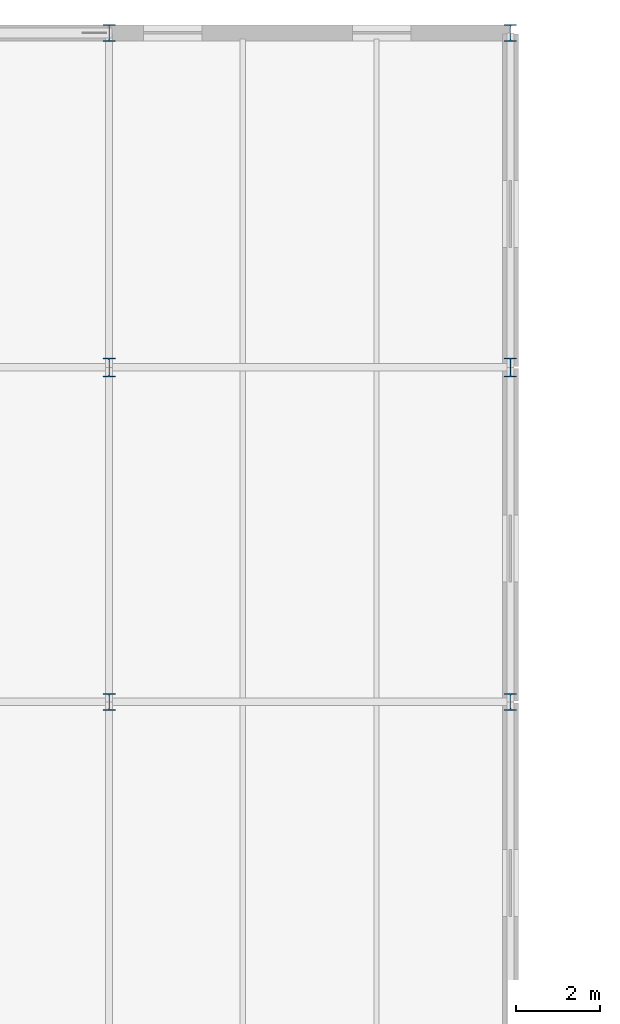
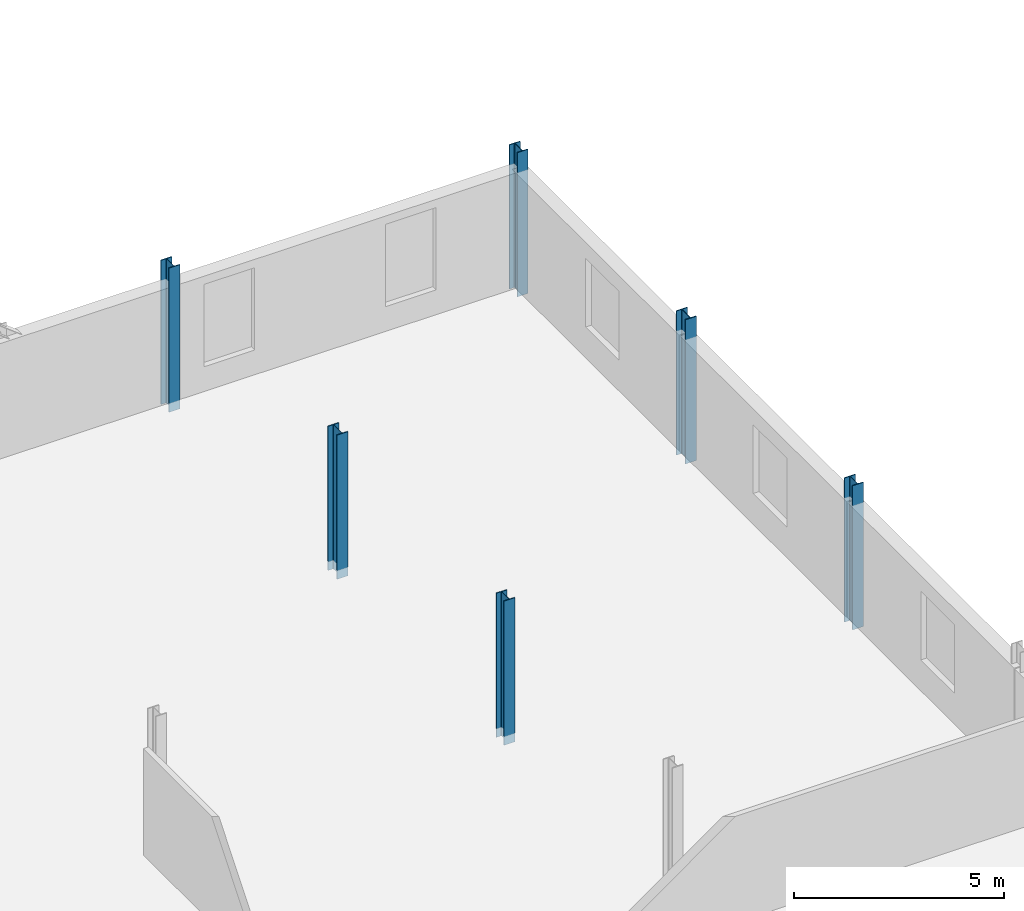
# One storey, part 15 of 85: 6 columns.
"""IFC4 building model written with IfcOpenShell, lengths in metres."""

from ifc_helpers import new_model, si_unit, direction, frame, origin, origin_2d, place, context, subcontext, project, spatial, i_section, extrude, material, material_profile, profile_set, type_object, element, save


model = new_model("IFC4")

# Units and contexts
model_context = context("Model", 3, precision=1e-05, world=origin(), true_north=direction((0.0, 1.0)))
body_context = subcontext(model_context, "Body", "Model", "MODEL_VIEW")
ifc_project = project(units=[si_unit("LENGTHUNIT", "METRE"), si_unit("AREAUNIT", "SQUARE_METRE"), si_unit("VOLUMEUNIT", "CUBIC_METRE"), si_unit("PLANEANGLEUNIT", "RADIAN"), si_unit("MASSUNIT", "GRAM", prefix="KILO")], contexts=[model_context])

# Site, building, storey
site_placement = place(None, origin())
site = spatial("IfcSite", under=ifc_project, at=site_placement, CompositionType="ELEMENT")
building_placement = place(site_placement, origin())
building = spatial("IfcBuilding", under=site, at=building_placement, Name="Alderhovde Museum", CompositionType="ELEMENT")
storey_placement = place(building_placement, frame((0.0, 0.0, 8.699951171875)))
storey = spatial("IfcBuildingStorey", under=building, at=storey_placement, Name="L02", CompositionType="ELEMENT", Elevation=8.699951171875)

# Columns
ifc_material_1 = material(Name="Steel S355J2", Category="steel")
ifc_material_profile_1 = material_profile(ifc_material_1, i_section(OverallWidth=0.300048828125, OverallDepth=0.39990234375, WebThickness=0.013427734375, FlangeThickness=0.02392578125, FilletRadius=0.027099609375, at=origin_2d()), Name="HEB 400")
ifc_profile_set_1 = profile_set([ifc_material_profile_1], Name="Steel S355J2")
column_type_1 = type_object("IfcColumnType", Name="COL-HEB400", PredefinedType="COLUMN", material=ifc_profile_set_1)
for number, where, z_axis, x_axis, name in (
    (1, (48.0, 96.0, -0.260009765625), (0.0, 0.0, 1.0), (1.0, 0.0, 0.0), "L02 Column (48.0, 96.0)"),
    (2, (48.0, 112.0, -0.260009765625), (0.0, 0.0, 1.0), (1.0, 0.0, 0.0), "L02 Column (48.0, 112.0)"),
    (3, (57.60009765625, 96.0, -0.260009765625), (0.0, 0.0, 1.0), (1.0, 0.0, 0.0), "L02 Column (57.6, 96.0)"),
    (4, (57.60009765625, 112.0, -0.260009765625), (0.0, 0.0, 1.0), (1.0, 0.0, 0.0), "L02 Column (57.6, 112.0)"),
):
    element("IfcColumn", number, at=place(storey_placement, frame(where, z_axis=z_axis, x_axis=x_axis)), inside=storey, type_object=column_type_1, Name=name, PredefinedType="COLUMN", context=body_context, shape_type="SweptSolid", body=[
        extrude(i_section(OverallWidth=0.300048828125, OverallDepth=0.39990234375, WebThickness=0.013427734375, FlangeThickness=0.02392578125, FilletRadius=0.027099609375, at=origin_2d()), origin(), (0.0, 0.0, 1.0), 4.199951171875),
    ])
ifc_material_2 = material(Name="Steel S355J2", Category="steel")
ifc_material_profile_2 = material_profile(ifc_material_2, i_section(OverallWidth=0.300048828125, OverallDepth=0.449951171875, WebThickness=0.013916015625, FlangeThickness=0.02587890625, FilletRadius=0.027099609375, at=origin_2d()), Name="HEB 450")
ifc_profile_set_2 = profile_set([ifc_material_profile_2], Name="Steel S355J2")
column_type_2 = type_object("IfcColumnType", Name="COL-HEB450", PredefinedType="COLUMN", material=ifc_profile_set_2)
for number, where, z_axis, x_axis, name in (
    (5, (48.0, 104.0, -0.260009765625), (0.0, 0.0, 1.0), (1.0, 0.0, 0.0), "L02 Column (48.0, 104.0)"),
    (6, (57.60009765625, 104.0, -0.260009765625), (0.0, 0.0, 1.0), (1.0, 0.0, 0.0), "L02 Column (57.6, 104.0)"),
):
    element("IfcColumn", number, at=place(storey_placement, frame(where, z_axis=z_axis, x_axis=x_axis)), inside=storey, type_object=column_type_2, Name=name, PredefinedType="COLUMN", context=body_context, shape_type="SweptSolid", body=[
        extrude(i_section(OverallWidth=0.300048828125, OverallDepth=0.449951171875, WebThickness=0.013916015625, FlangeThickness=0.02587890625, FilletRadius=0.027099609375, at=origin_2d()), origin(), (0.0, 0.0, 1.0), 4.199951171875),
    ])

save(model, "model.ifc")
